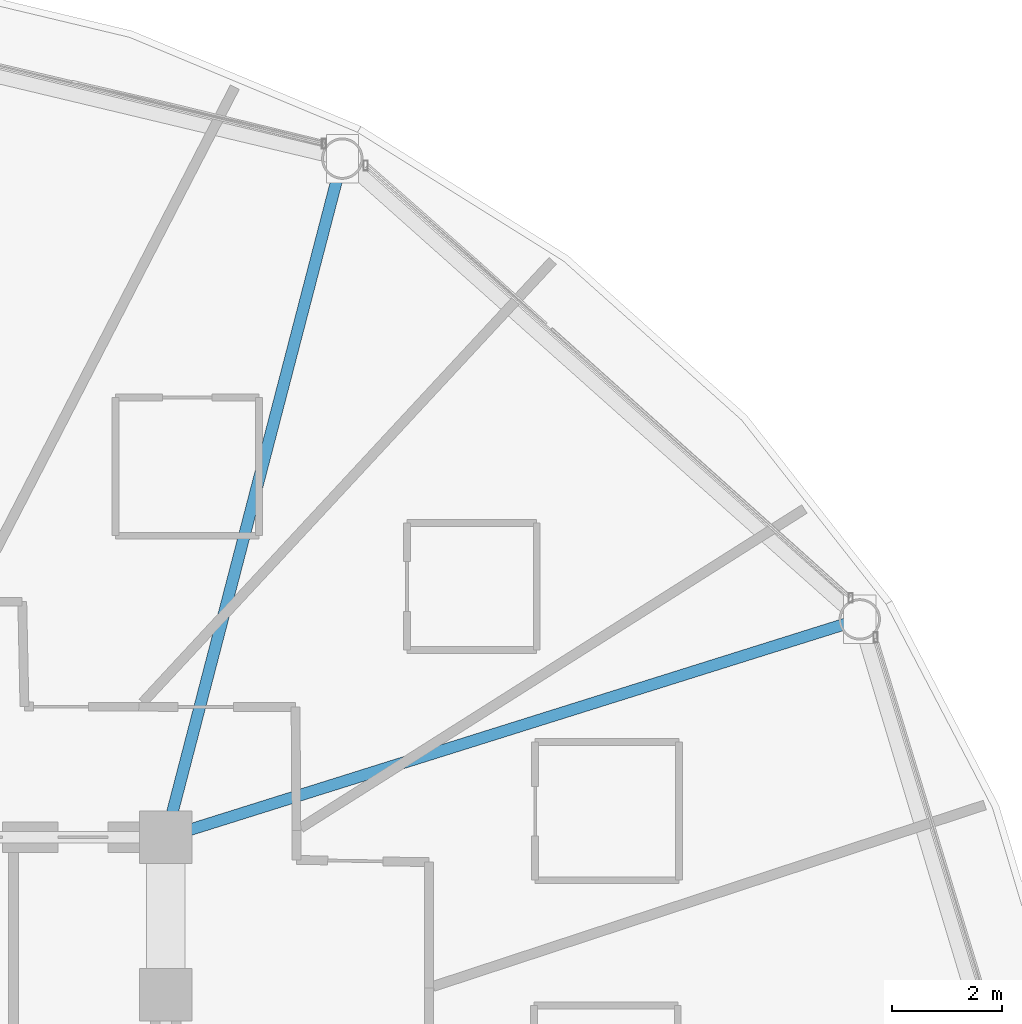
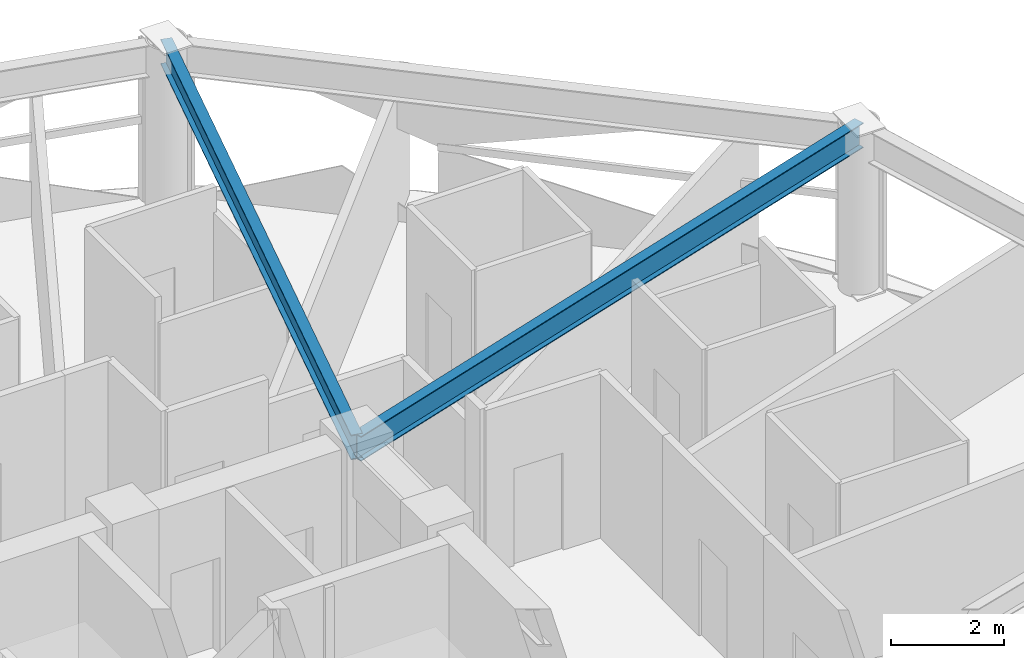
# One storey, part 19 of 32: 2 beams.
"""IFC4 building model written with IfcOpenShell, lengths in metres."""

from ifc_helpers import new_model, si_unit, direction, frame, origin, origin_2d, place, context, subcontext, project, spatial, i_section, extrude, material, material_profile, profile_set, type_object, element, save


model = new_model("IFC4")

# Units and contexts
model_context = context("Model", 3, precision=1e-05, world=origin(), true_north=direction((0.0, 1.0)))
body_context = subcontext(model_context, "Body", "Model", "MODEL_VIEW")
ifc_project = project(units=[si_unit("LENGTHUNIT", "METRE"), si_unit("AREAUNIT", "SQUARE_METRE"), si_unit("VOLUMEUNIT", "CUBIC_METRE"), si_unit("PLANEANGLEUNIT", "RADIAN"), si_unit("MASSUNIT", "GRAM", prefix="KILO")], contexts=[model_context])

# Site, building, storey
site_placement = place(None, origin())
site = spatial("IfcSite", under=ifc_project, at=site_placement, CompositionType="ELEMENT")
building_placement = place(site_placement, origin())
building = spatial("IfcBuilding", under=site, at=building_placement, Name="Vantalir Tower", CompositionType="ELEMENT")
storey_placement = place(building_placement, frame((0.0, 0.0, 100.949951171875)))
storey = spatial("IfcBuildingStorey", under=building, at=storey_placement, Name="L24", CompositionType="ELEMENT", Elevation=100.949951171875)

# Beams
ifc_material = material(Name="Steel S355", Category="steel")
ifc_material_profile = material_profile(ifc_material, i_section(OverallWidth=0.2109375, OverallDepth=0.5390625, WebThickness=0.01171875, FlangeThickness=0.018798828125, at=origin_2d()), Name="Steel S355")
ifc_profile_set = profile_set([ifc_material_profile], Name="Steel S355")
beam_type = type_object("IfcBeamType", Name="BM-RB-533x210", PredefinedType="BEAM", material=ifc_profile_set)
beam_1_placement = place(storey_placement, frame((53.659912109375, 36.39404296875, 3.300048828125), z_axis=(-0.954064922814, -0.299599938343, 0.0), x_axis=(0.299599938343, -0.954064922814, 0.0)))
element("IfcBeam", 1, at=beam_1_placement, inside=storey, type_object=beam_type, Name="L24 Radial Floor Beam 02", PredefinedType="BEAM", context=body_context, shape_type="SweptSolid", body=[
    extrude(i_section(OverallWidth=0.2109375, OverallDepth=0.5390625, WebThickness=0.01171875, FlangeThickness=0.018798828125, at=origin_2d()), origin(), (0.0, 0.0, 1.0), 13.16455078125),
])
beam_2_placement = place(storey_placement, frame((44.2939453125, 44.735107421875, 3.300048828125), z_axis=(-0.251612232967, -0.967828127418, 0.0), x_axis=(0.967828127418, -0.251612232967, 0.0)))
element("IfcBeam", 2, at=beam_2_placement, inside=storey, type_object=beam_type, Name="L24 Radial Floor Beam 03", PredefinedType="BEAM", context=body_context, shape_type="SweptSolid", body=[
    extrude(i_section(OverallWidth=0.2109375, OverallDepth=0.5390625, WebThickness=0.01171875, FlangeThickness=0.018798828125, at=origin_2d()), origin(), (0.0, 0.0, 1.0), 12.693603515625),
])

save(model, "model.ifc")
